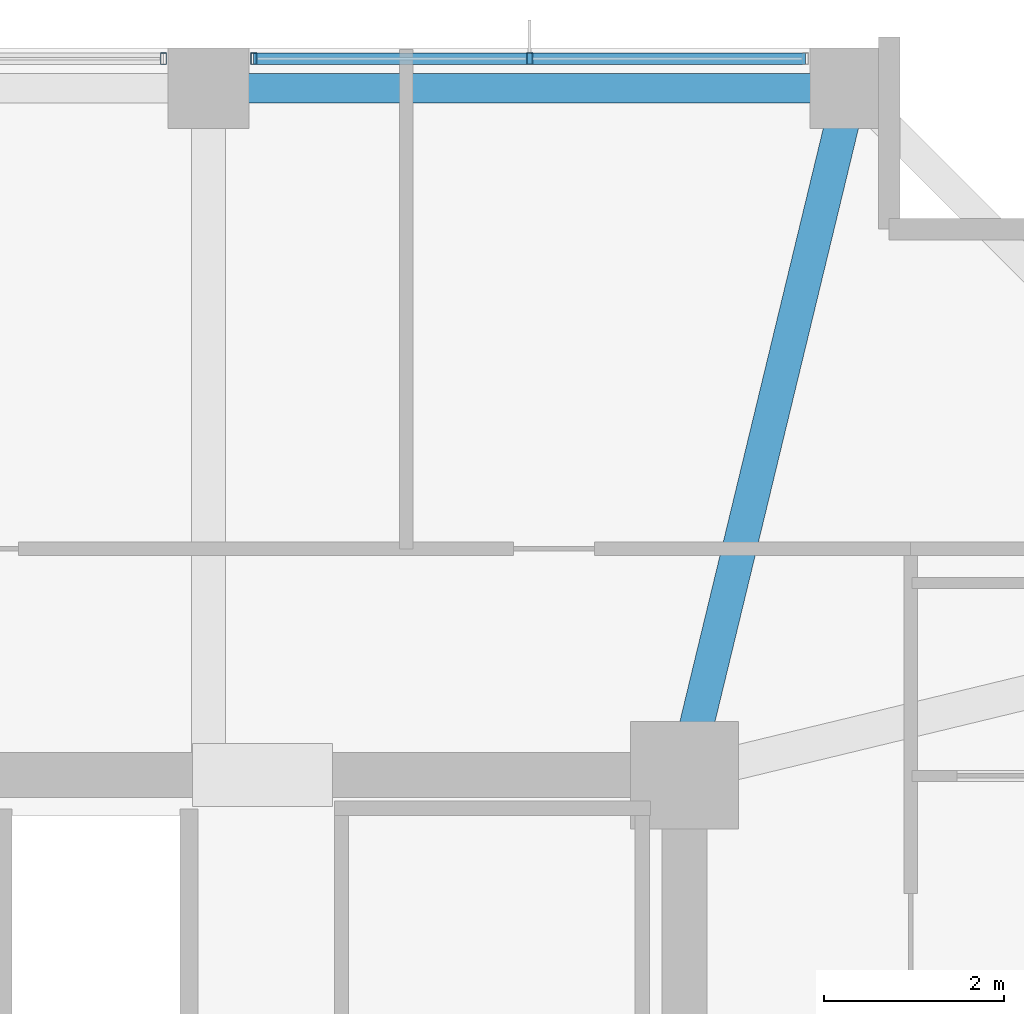
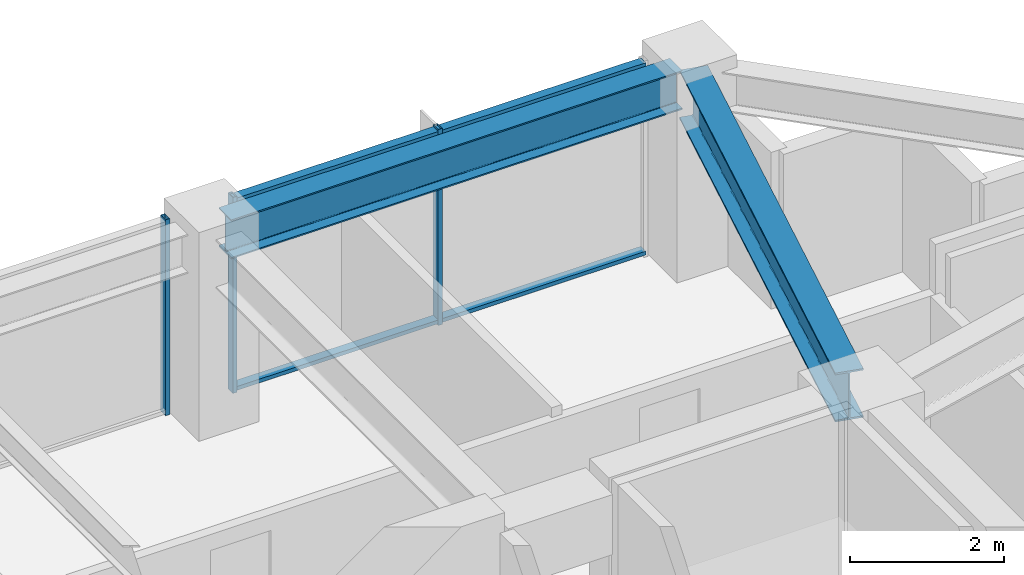
# One storey, part 20 of 32: 5 members, 2 beams, 2 elements without a shape of their own.
"""IFC4 building model written with IfcOpenShell, lengths in metres."""

from ifc_helpers import new_model, si_unit, direction, frame, origin, origin_2d, place, context, subcontext, project, spatial, hollow_rectangle, i_section, extrude, material, material_profile, profile_set, type_object, element, aggregate, save


model = new_model("IFC4")

# Units and contexts
model_context = context("Model", 3, precision=1e-05, world=origin(), true_north=direction((0.0, 1.0)))
body_context = subcontext(model_context, "Body", "Model", "MODEL_VIEW")
ifc_project = project(units=[si_unit("LENGTHUNIT", "METRE"), si_unit("AREAUNIT", "SQUARE_METRE"), si_unit("VOLUMEUNIT", "CUBIC_METRE"), si_unit("PLANEANGLEUNIT", "RADIAN"), si_unit("MASSUNIT", "GRAM", prefix="KILO")], contexts=[model_context])

# Site, building, storey
site_placement = place(None, origin())
site = spatial("IfcSite", under=ifc_project, at=site_placement, CompositionType="ELEMENT")
building_placement = place(site_placement, origin())
building = spatial("IfcBuilding", under=site, at=building_placement, Name="Kolvaren Belvedere", CompositionType="ELEMENT")
storey_placement = place(building_placement, frame((0.0, 0.0, 141.5)))
storey = spatial("IfcBuildingStorey", under=building, at=storey_placement, Name="L41", CompositionType="ELEMENT", Elevation=141.5)

# Beams
ifc_material_1 = material(Name="Structural steel ASTM A992 Grade 50", Category="steel")
ifc_material_profile_1 = material_profile(ifc_material_1, i_section(OverallWidth=0.381103515625, OverallDepth=0.77294921875, WebThickness=0.0166015625, FlangeThickness=0.027099609375, FilletRadius=0.02392578125, at=origin_2d()), Name="W30X173")
ifc_profile_set_1 = profile_set([ifc_material_profile_1], Name="Structural steel ASTM A992 Grade 50")
beam_type_1 = type_object("IfcBeamType", Name="BM-GIRD-W30X173", PredefinedType="BEAM", material=ifc_profile_set_1)
beam_1_placement = place(storey_placement, frame((10.029296875, 10.4345703125, 2.71337890625), z_axis=(0.235062749937, 0.971980197119, 0.0), x_axis=(-0.971980197119, 0.235062749937, 0.0)))
element("IfcBeam", 1, at=beam_1_placement, inside=storey, type_object=beam_type_1, Name="L41 Corner Core-to-Perimeter Girder CC3-N4", PredefinedType="BEAM", context=body_context, shape_type="SweptSolid", body=[
    extrude(i_section(OverallWidth=0.381103515625, OverallDepth=0.77294921875, WebThickness=0.0166015625, FlangeThickness=0.027099609375, FilletRadius=0.02392578125, at=origin_2d()), origin(), (0.0, 0.0, 1.0), 7.140625),
])
ifc_material_2 = material(Name="Structural steel ASTM A992 Grade 50", Category="steel")
ifc_material_profile_2 = material_profile(ifc_material_2, i_section(OverallWidth=0.324951171875, OverallDepth=0.615966796875, WebThickness=0.013916015625, FlangeThickness=0.021484375, FilletRadius=0.02001953125, at=origin_2d()), Name="W24X117")
ifc_profile_set_2 = profile_set([ifc_material_profile_2], Name="Structural steel ASTM A992 Grade 50")
beam_type_2 = type_object("IfcBeamType", Name="BM-SPAN-W24X117", PredefinedType="SPANDREL", material=ifc_profile_set_2)
beam_2_placement = place(storey_placement, frame((11.547607421875, 17.550048828125, 2.7919921875), z_axis=(-1.0, 0.0, 0.0), x_axis=(0.0, -1.0, 0.0)))
element("IfcBeam", 2, at=beam_2_placement, inside=storey, type_object=beam_type_2, Name="L41 Perimeter Spandrel N4-N3", PredefinedType="SPANDREL", context=body_context, shape_type="SweptSolid", body=[
    extrude(i_section(OverallWidth=0.324951171875, OverallDepth=0.615966796875, WebThickness=0.013916015625, FlangeThickness=0.021484375, FilletRadius=0.02001953125, at=origin_2d()), origin(), (0.0, 0.0, 1.0), 6.7451171875),
])

# Curtain wall, member
ifc_material_3 = material(Name="Anodised pale-metal aluminium AA 6063-T6", Category="aluminium")
curtain_wall_type = type_object("IfcCurtainWallType", Name="CW-Z3-WAIST", PredefinedType="NOTDEFINED", material=ifc_material_3)
curtain_wall_1_placement = place(storey_placement, origin())
curtain_wall_1 = element("IfcCurtainWall", 3, at=curtain_wall_1_placement, inside=storey, type_object=curtain_wall_type, Name="L41 Unitised Curtain Wall FCW-L41-N-B2", PredefinedType="NOTDEFINED")
ifc_material_4 = material(Name="Anodised pale-metal aluminium AA 6063-T6", Category="aluminium")
ifc_material_profile_3 = material_profile(ifc_material_4, hollow_rectangle(XDim=0.06494140625, YDim=0.1298828125, WallThickness=0.00390625, at=origin_2d()), Name="ALU-MUL-130X65")
ifc_profile_set_3 = profile_set([ifc_material_profile_3], Name="Anodised pale-metal aluminium AA 6063-T6")
member_type_1 = type_object("IfcMemberType", Name="CW-MUL-130", PredefinedType="MULLION", material=ifc_profile_set_3)
member_1_placement = place(storey_placement, frame((4.097412109375, 17.8798828125, 0.0), z_axis=(0.0, 0.0, 1.0), x_axis=(1.0, 0.0, 0.0)))
member_1 = element("IfcMember", 4, at=member_1_placement, type_object=member_type_1, Name="FCW-L41-N-B2 Unitised Mullion 3", PredefinedType="MULLION", context=body_context, shape_type="SweptSolid", body=[
    extrude(hollow_rectangle(XDim=0.06494140625, YDim=0.1298828125, WallThickness=0.00390625, at=origin_2d()), origin(), (0.0, 0.0, 1.0), 3.10009765625),
])
aggregate(curtain_wall_1, [member_1])

# Curtain wall, members
curtain_wall_2_placement = place(storey_placement, origin())
curtain_wall_2 = element("IfcCurtainWall", 5, at=curtain_wall_2_placement, inside=storey, type_object=curtain_wall_type, Name="L41 Unitised Curtain Wall FCW-L41-N-B3", PredefinedType="NOTDEFINED")
member_2_placement = place(storey_placement, frame((5.1025390625, 17.8798828125, 0.0), z_axis=(0.0, 0.0, 1.0), x_axis=(1.0, 0.0, 0.0)))
member_2 = element("IfcMember", 6, at=member_2_placement, type_object=member_type_1, Name="FCW-L41-N-B3 Unitised Mullion 1", PredefinedType="MULLION", context=body_context, shape_type="SweptSolid", body=[
    extrude(hollow_rectangle(XDim=0.06494140625, YDim=0.1298828125, WallThickness=0.00390625, at=origin_2d()), origin(), (0.0, 0.0, 1.0), 3.10009765625),
])
member_3_placement = place(storey_placement, frame((8.175048828125, 17.8798828125, 0.0), z_axis=(0.0, 0.0, 1.0), x_axis=(1.0, 0.0, 0.0)))
member_3 = element("IfcMember", 7, at=member_3_placement, type_object=member_type_1, Name="FCW-L41-N-B3 Unitised Mullion 2", PredefinedType="MULLION", context=body_context, shape_type="SweptSolid", body=[
    extrude(hollow_rectangle(XDim=0.06494140625, YDim=0.1298828125, WallThickness=0.00390625, at=origin_2d()), origin(), (0.0, 0.0, 1.0), 3.10009765625),
])
ifc_material_5 = material(Name="Anodised pale-metal aluminium AA 6063-T6", Category="aluminium")
ifc_material_profile_4 = material_profile(ifc_material_5, hollow_rectangle(XDim=0.06005859375, YDim=0.1298828125, WallThickness=0.00390625, at=origin_2d()), Name="ALU-TRN-130X60")
ifc_profile_set_4 = profile_set([ifc_material_profile_4], Name="Anodised pale-metal aluminium AA 6063-T6")
member_type_2 = type_object("IfcMemberType", Name="CW-TRN-130", PredefinedType="USERDEFINED", material=ifc_profile_set_4)
member_4_placement = place(storey_placement, frame((5.1025390625, 17.8798828125, 0.06005859375), z_axis=(1.0, 0.0, 0.0), x_axis=(0.0, 0.0, 1.0)))
member_4 = element("IfcMember", 8, at=member_4_placement, type_object=member_type_2, Name="FCW-L41-N-B3 Sill Transom", ObjectType="TRANSOM", PredefinedType="USERDEFINED", context=body_context, shape_type="SweptSolid", body=[
    extrude(hollow_rectangle(XDim=0.06005859375, YDim=0.1298828125, WallThickness=0.00390625, at=origin_2d()), origin(), (0.0, 0.0, 1.0), 6.14501953125),
])
member_5_placement = place(storey_placement, frame((5.1025390625, 17.8798828125, 3.0400390625), z_axis=(1.0, 0.0, 0.0), x_axis=(0.0, 0.0, 1.0)))
member_5 = element("IfcMember", 9, at=member_5_placement, type_object=member_type_2, Name="FCW-L41-N-B3 Head Transom", ObjectType="TRANSOM", PredefinedType="USERDEFINED", context=body_context, shape_type="SweptSolid", body=[
    extrude(hollow_rectangle(XDim=0.06005859375, YDim=0.1298828125, WallThickness=0.00390625, at=origin_2d()), origin(), (0.0, 0.0, 1.0), 6.14501953125),
])
aggregate(curtain_wall_2, [member_2, member_3, member_4, member_5])

save(model, "model.ifc")
